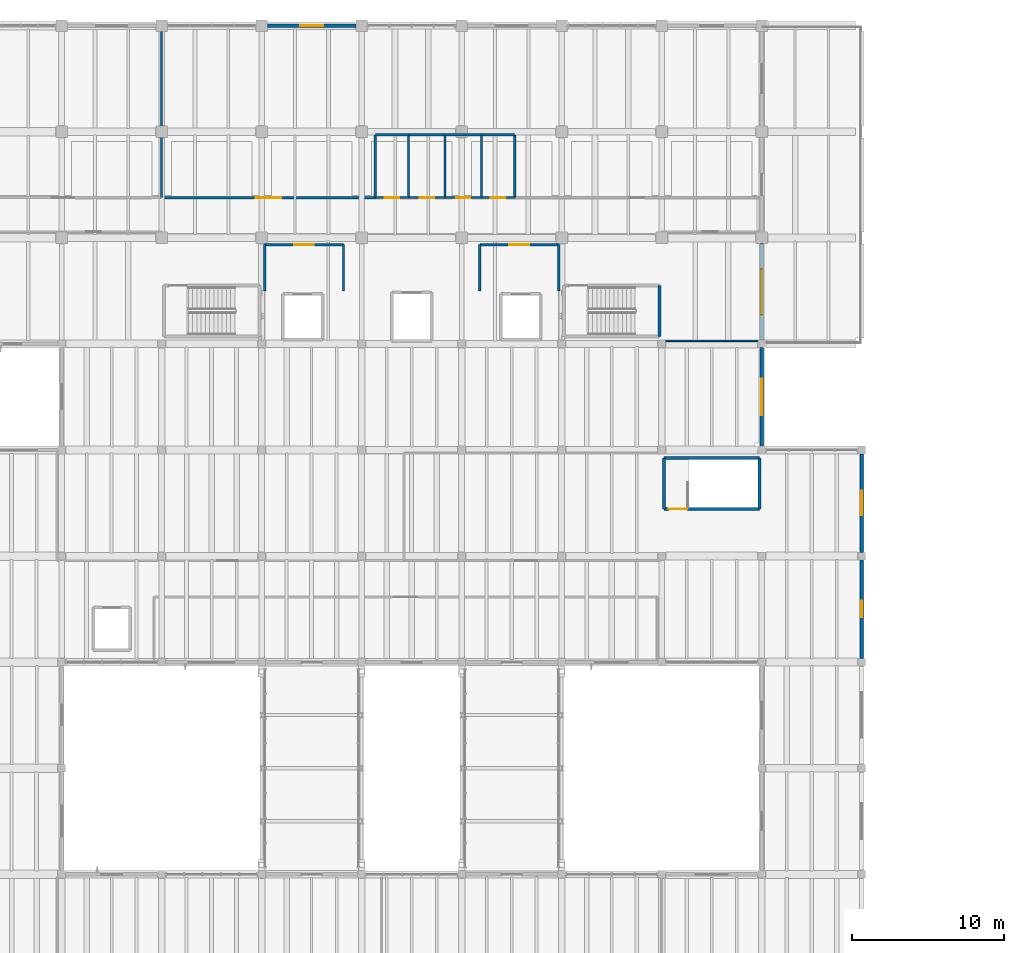
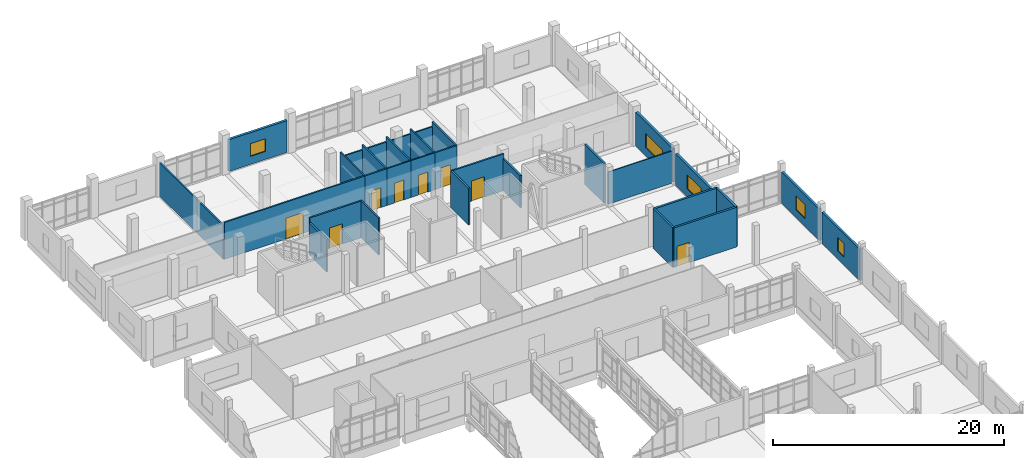
# One storey, part 52 of 65: 32 walls, 8 doors, 5 windows, 13 openings.
"""IFC4 building model written with IfcOpenShell, lengths in metres."""

from ifc_helpers import new_model, si_unit, direction, frame, frame_2d, origin, place, context, subcontext, project, spatial, rectangle, extrude, material, layer, layer_set, type_object, element, fill, save


model = new_model("IFC4")

# Units and contexts
model_context = context("Model", 3, precision=1e-05, world=origin(), true_north=direction((0.0, 1.0)))
body_context = subcontext(model_context, "Body", "Model", "MODEL_VIEW")
ifc_project = project(units=[si_unit("LENGTHUNIT", "METRE"), si_unit("AREAUNIT", "SQUARE_METRE"), si_unit("VOLUMEUNIT", "CUBIC_METRE"), si_unit("PLANEANGLEUNIT", "RADIAN"), si_unit("MASSUNIT", "GRAM", prefix="KILO")], contexts=[model_context])

# Site, building, storey
site_placement = place(None, origin())
site = spatial("IfcSite", under=ifc_project, at=site_placement, CompositionType="ELEMENT")
building_placement = place(site_placement, origin())
building = spatial("IfcBuilding", under=site, at=building_placement, Name="Ciguamira Faculty of Natural Sciences", CompositionType="ELEMENT")
storey_placement = place(building_placement, frame((0.0, 0.0, 12.60009765625)))
storey = spatial("IfcBuildingStorey", under=building, at=storey_placement, Name="L03", CompositionType="ELEMENT", Elevation=12.60009765625)

# Wall, opening, window
ifc_material_1 = material(Name="Precast concrete C40/50", Category="concrete")
ifc_layer_1 = layer(ifc_material_1, 0.239990234375, Name="Precast concrete C40/50")
ifc_layer_set_1 = layer_set([ifc_layer_1], Name="Precast concrete C40/50")
wall_type_1 = type_object("IfcWallType", Name="ExtWall_EW-02_240", PredefinedType="SOLIDWALL", material=ifc_layer_set_1)
wall_1_placement = place(storey_placement, frame((77.47509765625, 115.0, 0.0), z_axis=(0.0, 0.0, 1.0), x_axis=(1.0, 0.0, 0.0)))
wall_1 = element("IfcWall", 1, at=wall_1_placement, inside=storey, type_object=wall_type_1, Name="L03 exterior wall 0284", PredefinedType="SOLIDWALL", context=body_context, shape_type="SweptSolid", body=[
    extrude(rectangle(XDim=5.849853515625, YDim=0.239990234375, at=frame_2d((2.9248046875, 0.0))), origin(), (0.0, 0.0, 1.0), 3.364990234375),
])
opening_1_placement = place(wall_1_placement, frame((2.175048828125, 0.0, 0.85009765625)))
opening_1 = element("IfcOpeningElement", 2, at=opening_1_placement, cuts=wall_1, Name="Opening WT-03", PredefinedType="OPENING", context=body_context, shape_type="SweptSolid", body=[
    extrude(rectangle(XDim=1.5, YDim=1.35009765625, at=frame_2d((0.75, 0.675048828125))), frame((0.0, 0.1298828125, 0.0), z_axis=(0.0, -1.0, 0.0), x_axis=(1.0, 0.0, 0.0)), (0.0, 0.0, 1.0), 0.260009765625),
])
ifc_material_2 = material(Name="Hurricane laminated solar glass", Category="glass")
window_type_1 = type_object("IfcWindowType", Name="Window_WT-03_1500x1350", PartitioningType="DOUBLE_PANEL_VERTICAL", PredefinedType="WINDOW", material=ifc_material_2)
window_1_placement = place(opening_1_placement, origin())
window_1 = element("IfcWindow", 3, at=window_1_placement, inside=storey, type_object=window_type_1, Name="L03 facade window 0180", OverallHeight=1.35009765625, OverallWidth=1.5, PartitioningType="SINGLE_PANEL", PredefinedType="WINDOW", context=body_context, shape_type="SweptSolid", body=[
    extrude(rectangle(XDim=1.5, YDim=1.35009765625, at=frame_2d((0.75, 0.675048828125))), frame((0.0, 0.030029296875, 0.0), z_axis=(0.0, -1.0, 0.0), x_axis=(1.0, 0.0, 0.0)), (0.0, 0.0, 1.0), 0.06005859375),
])
fill(opening_1, window_1)

wall_2_placement = place(storey_placement, frame((110.10009765625, 94.25, 0.0), z_axis=(0.0, 0.0, 1.0), x_axis=(0.0, 1.0, 0.0)))
wall_2 = element("IfcWall", 4, at=wall_2_placement, inside=storey, type_object=wall_type_1, Name="L03 exterior wall 0308", PredefinedType="SOLIDWALL", context=body_context, shape_type="SweptSolid", body=[
    extrude(rectangle(XDim=6.375, YDim=0.239990234375, at=frame_2d((3.1875, 0.0))), origin(), (0.0, 0.0, 1.0), 3.56494140625),
])
opening_2_placement = place(wall_2_placement, frame((1.6875, 0.0, 0.85009765625)))
opening_2 = element("IfcOpeningElement", 5, at=opening_2_placement, cuts=wall_2, Name="Opening WT-14", PredefinedType="OPENING", context=body_context, shape_type="SweptSolid", body=[
    extrude(rectangle(XDim=3.0, YDim=1.5, at=frame_2d((1.5, 0.75))), frame((0.0, 0.1298828125, 0.0), z_axis=(0.0, -1.0, 0.0), x_axis=(1.0, 0.0, 0.0)), (0.0, 0.0, 1.0), 0.260009765625),
])
window_type_2 = type_object("IfcWindowType", Name="Window_WT-14_3000x1500", PartitioningType="DOUBLE_PANEL_VERTICAL", PredefinedType="WINDOW", material=ifc_material_2)
window_2_placement = place(opening_2_placement, origin())
window_2 = element("IfcWindow", 6, at=window_2_placement, inside=storey, type_object=window_type_2, Name="L03 facade window 0203", OverallHeight=1.5, OverallWidth=3.0, PartitioningType="SINGLE_PANEL", PredefinedType="WINDOW", context=body_context, shape_type="SweptSolid", body=[
    extrude(rectangle(XDim=3.0, YDim=1.5, at=frame_2d((1.5, 0.75))), frame((0.0, 0.030029296875, 0.0), z_axis=(0.0, -1.0, 0.0), x_axis=(1.0, 0.0, 0.0)), (0.0, 0.0, 1.0), 0.06005859375),
])
fill(opening_2, window_2)

ifc_layer_2 = layer(ifc_material_1, 0.219970703125, Name="Precast concrete C40/50")
ifc_layer_set_2 = layer_set([ifc_layer_2], Name="Precast concrete C40/50")
wall_type_2 = type_object("IfcWallType", Name="ExtWall_EW-03_220", PredefinedType="SOLIDWALL", material=ifc_layer_set_2)
wall_3_placement = place(storey_placement, frame((110.10009765625, 87.25, 0.0), z_axis=(0.0, 0.0, 1.0), x_axis=(0.0, 1.0, 0.0)))
wall_3 = element("IfcWall", 7, at=wall_3_placement, inside=storey, type_object=wall_type_2, Name="L03 exterior wall 0307", PredefinedType="SOLIDWALL", context=body_context, shape_type="SweptSolid", body=[
    extrude(rectangle(XDim=6.5, YDim=0.219970703125, at=frame_2d((3.25, 0.0))), origin(), (0.0, 0.0, 1.0), 3.324951171875),
])
opening_3_placement = place(wall_3_placement, frame((2.050048828125, 0.0, 0.85009765625)))
opening_3 = element("IfcOpeningElement", 8, at=opening_3_placement, cuts=wall_3, Name="Opening WT-12", PredefinedType="OPENING", context=body_context, shape_type="SweptSolid", body=[
    extrude(rectangle(XDim=2.39990234375, YDim=1.5, at=frame_2d((1.199951171875, 0.75))), frame((0.0, 0.119873046875, 0.0), z_axis=(0.0, -1.0, 0.0), x_axis=(1.0, 0.0, 0.0)), (0.0, 0.0, 1.0), 0.239990234375),
])
window_type_3 = type_object("IfcWindowType", Name="Window_WT-12_2400x1500", PartitioningType="DOUBLE_PANEL_VERTICAL", PredefinedType="WINDOW", material=ifc_material_2)
window_3_placement = place(opening_3_placement, origin())
window_3 = element("IfcWindow", 9, at=window_3_placement, inside=storey, type_object=window_type_3, Name="L03 facade window 0202", OverallHeight=1.5, OverallWidth=2.39990234375, PartitioningType="SINGLE_PANEL", PredefinedType="WINDOW", context=body_context, shape_type="SweptSolid", body=[
    extrude(rectangle(XDim=2.39990234375, YDim=1.5, at=frame_2d((1.199951171875, 0.75))), frame((0.0, 0.030029296875, 0.0), z_axis=(0.0, -1.0, 0.0), x_axis=(1.0, 0.0, 0.0)), (0.0, 0.0, 1.0), 0.06005859375),
])
fill(opening_3, window_3)

wall_4_placement = place(storey_placement, frame((116.699951171875, 73.25, 0.0), z_axis=(0.0, 0.0, 1.0), x_axis=(0.0, 1.0, 0.0)))
wall_4 = element("IfcWall", 10, at=wall_4_placement, inside=storey, type_object=wall_type_2, Name="L03 exterior wall 0315", PredefinedType="SOLIDWALL", context=body_context, shape_type="SweptSolid", body=[
    extrude(rectangle(XDim=6.5, YDim=0.219970703125, at=frame_2d((3.25, 0.0))), origin(), (0.0, 0.0, 1.0), 3.324951171875),
])
opening_4_placement = place(wall_4_placement, frame((2.699951171875, 0.0, 0.85009765625)))
opening_4 = element("IfcOpeningElement", 11, at=opening_4_placement, cuts=wall_4, Name="Opening WT-27", PredefinedType="OPENING", context=body_context, shape_type="SweptSolid", body=[
    extrude(rectangle(XDim=1.10009765625, YDim=1.449951171875, at=frame_2d((0.550048828125, 0.72509765625))), frame((0.0, 0.119873046875, 0.0), z_axis=(0.0, -1.0, 0.0), x_axis=(1.0, 0.0, 0.0)), (0.0, 0.0, 1.0), 0.239990234375),
])
window_type_4 = type_object("IfcWindowType", Name="Window_WT-27_1100x1450", PartitioningType="DOUBLE_PANEL_VERTICAL", PredefinedType="WINDOW", material=ifc_material_2)
window_4_placement = place(opening_4_placement, origin())
window_4 = element("IfcWindow", 12, at=window_4_placement, inside=storey, type_object=window_type_4, Name="L03 facade window 0209", OverallHeight=1.449951171875, OverallWidth=1.10009765625, PartitioningType="SINGLE_PANEL", PredefinedType="WINDOW", context=body_context, shape_type="SweptSolid", body=[
    extrude(rectangle(XDim=1.10009765625, YDim=1.449951171875, at=frame_2d((0.550048828125, 0.72509765625))), frame((0.0, 0.030029296875, 0.0), z_axis=(0.0, -1.0, 0.0), x_axis=(1.0, 0.0, 0.0)), (0.0, 0.0, 1.0), 0.06005859375),
])
fill(opening_4, window_4)

wall_5_placement = place(storey_placement, frame((116.699951171875, 80.25, 0.0), z_axis=(0.0, 0.0, 1.0), x_axis=(0.0, 1.0, 0.0)))
wall_5 = element("IfcWall", 13, at=wall_5_placement, inside=storey, type_object=wall_type_2, Name="L03 exterior wall 0316", PredefinedType="SOLIDWALL", context=body_context, shape_type="SweptSolid", body=[
    extrude(rectangle(XDim=6.5, YDim=0.219970703125, at=frame_2d((3.25, 0.0))), origin(), (0.0, 0.0, 1.0), 3.324951171875),
])
opening_5_placement = place(wall_5_placement, frame((2.449951171875, 0.0, 0.85009765625)))
opening_5 = element("IfcOpeningElement", 14, at=opening_5_placement, cuts=wall_5, Name="Opening WT-29", PredefinedType="OPENING", context=body_context, shape_type="SweptSolid", body=[
    extrude(rectangle(XDim=1.60009765625, YDim=1.449951171875, at=frame_2d((0.800048828125, 0.72509765625))), frame((0.0, 0.119873046875, 0.0), z_axis=(0.0, -1.0, 0.0), x_axis=(1.0, 0.0, 0.0)), (0.0, 0.0, 1.0), 0.239990234375),
])
window_type_5 = type_object("IfcWindowType", Name="Window_WT-29_1600x1450", PartitioningType="DOUBLE_PANEL_VERTICAL", PredefinedType="WINDOW", material=ifc_material_2)
window_5_placement = place(opening_5_placement, origin())
window_5 = element("IfcWindow", 15, at=window_5_placement, inside=storey, type_object=window_type_5, Name="L03 facade window 0210", OverallHeight=1.449951171875, OverallWidth=1.60009765625, PartitioningType="SINGLE_PANEL", PredefinedType="WINDOW", context=body_context, shape_type="SweptSolid", body=[
    extrude(rectangle(XDim=1.60009765625, YDim=1.449951171875, at=frame_2d((0.800048828125, 0.72509765625))), frame((0.0, 0.030029296875, 0.0), z_axis=(0.0, -1.0, 0.0), x_axis=(1.0, 0.0, 0.0)), (0.0, 0.0, 1.0), 0.06005859375),
])
fill(opening_5, window_5)

# Wall
ifc_material_3 = material(Name="Concrete C40/50", Category="concrete")
ifc_layer_3 = layer(ifc_material_3, 0.199951171875, Name="Concrete C40/50")
ifc_layer_set_3 = layer_set([ifc_layer_3], Name="Concrete C40/50")
wall_type_3 = type_object("IfcWallType", Name="IntWall_CW-S20_200", PredefinedType="SHEAR", material=ifc_layer_set_3)
wall_6_placement = place(storey_placement, frame((103.35009765625, 94.5, 0.0), z_axis=(0.0, 0.0, 1.0), x_axis=(0.0, 1.0, 0.0)))
element("IfcWall", 16, at=wall_6_placement, inside=storey, type_object=wall_type_3, Name="L03 ST-T2 core shear wall east", PredefinedType="SHEAR", context=body_context, shape_type="SweptSolid", body=[
    extrude(rectangle(XDim=3.360107421875, YDim=0.199951171875, at=frame_2d((1.68017578125, 0.0))), origin(), (0.0, 0.0, 1.0), 4.199951171875),
])

# Wall, opening, door
wall_7_placement = place(storey_placement, frame((103.64990234375, 83.10009765625, 0.0), z_axis=(0.0, 0.0, 1.0), x_axis=(1.0, 0.0, 0.0)))
wall_7 = element("IfcWall", 17, at=wall_7_placement, inside=storey, type_object=wall_type_3, Name="L03 ST-W2 core shear wall south", PredefinedType="SHEAR", context=body_context, shape_type="SweptSolid", body=[
    extrude(rectangle(XDim=6.300048828125, YDim=0.199951171875, at=frame_2d((3.14990234375, 0.0))), origin(), (0.0, 0.0, 1.0), 4.199951171875),
])
opening_6_placement = place(wall_7_placement, frame((0.320068359375, 0.0, 0.0)))
opening_6 = element("IfcOpeningElement", 18, at=opening_6_placement, cuts=wall_7, Name="Opening ID-14", PredefinedType="OPENING", context=body_context, shape_type="SweptSolid", body=[
    extrude(rectangle(XDim=1.199951171875, YDim=2.14990234375, at=frame_2d((0.60009765625, 1.074951171875))), frame((0.0, 0.10986328125, 0.0), z_axis=(0.0, -1.0, 0.0), x_axis=(1.0, 0.0, 0.0)), (0.0, 0.0, 1.0), 0.219970703125),
])
ifc_material_4 = material(Name="Protected exit stair fire door")
door_type_1 = type_object("IfcDoorType", Name="IntDoor_ID-14_1200x2150", OperationType="NOTDEFINED", PredefinedType="DOOR", material=ifc_material_4)
door_1_placement = place(opening_6_placement, origin())
door_1 = element("IfcDoor", 19, at=door_1_placement, inside=storey, type_object=door_type_1, Name="L03 ST-W2 exit stair fire door", OperationType="SINGLE_SWING_LEFT", OverallHeight=2.14990234375, OverallWidth=1.199951171875, PredefinedType="DOOR", context=body_context, shape_type="SweptSolid", body=[
    extrude(rectangle(XDim=1.199951171875, YDim=2.14990234375, at=frame_2d((0.60009765625, 1.074951171875))), frame((0.0, 0.02490234375, 0.0), z_axis=(0.0, -1.0, 0.0), x_axis=(1.0, 0.0, 0.0)), (0.0, 0.0, 1.0), 0.050048828125),
])
fill(opening_6, door_1)

# Walls
wall_8_placement = place(storey_placement, frame((103.64990234375, 86.4599609375, 0.0), z_axis=(0.0, 0.0, 1.0), x_axis=(1.0, 0.0, 0.0)))
element("IfcWall", 20, at=wall_8_placement, inside=storey, type_object=wall_type_3, Name="L03 ST-W2 core shear wall north", PredefinedType="SHEAR", context=body_context, shape_type="SweptSolid", body=[
    extrude(rectangle(XDim=6.300048828125, YDim=0.199951171875, at=frame_2d((3.14990234375, 0.0))), origin(), (0.0, 0.0, 1.0), 4.199951171875),
])
for number, where, z_axis, x_axis, name in (
    (21, (103.64990234375, 83.10009765625, 0.0), (0.0, 0.0, 1.0), (0.0, 1.0, 0.0), "L03 ST-W2 core shear wall west"),
    (22, (109.949951171875, 83.10009765625, 0.0), (0.0, 0.0, 1.0), (0.0, 1.0, 0.0), "L03 ST-W2 core shear wall east"),
):
    element("IfcWall", number, at=place(storey_placement, frame(where, z_axis=z_axis, x_axis=x_axis)), inside=storey, type_object=wall_type_3, Name=name, PredefinedType="SHEAR", context=body_context, shape_type="SweptSolid", body=[
        extrude(rectangle(XDim=3.35986328125, YDim=0.199951171875, at=frame_2d((1.679931640625, 0.0))), origin(), (0.0, 0.0, 1.0), 4.199951171875),
    ])
ifc_material_5 = material(Name="Fire-rated gypsum partition")
ifc_layer_4 = layer(ifc_material_5, 0.10009765625, Name="Fire-rated gypsum partition")
ifc_layer_set_4 = layer_set([ifc_layer_4], Name="Fire-rated gypsum partition")
wall_type_4 = type_object("IfcWallType", Name="IntWall_IW-A10_100", PredefinedType="PARTITIONING", material=ifc_layer_set_4)
wall_9_placement = place(storey_placement, frame((103.5, 94.199951171875, 0.0), z_axis=(0.0, 0.0, 1.0), x_axis=(1.0, 0.0, 0.0)))
element("IfcWall", 23, at=wall_9_placement, inside=storey, type_object=wall_type_4, Name="L03 East Terrace Access Faculty Study partition south", PredefinedType="PARTITIONING", context=body_context, shape_type="SweptSolid", body=[
    extrude(rectangle(XDim=6.39990234375, YDim=0.10009765625, at=frame_2d((3.199951171875, 0.0))), origin(), (0.0, 0.0, 1.0), 3.40478515625),
])

# Wall, opening, door
ifc_material_6 = material(Name="Fire-rated blockwork wall", Category="masonry")
ifc_layer_5 = layer(ifc_material_6, 0.159912109375, Name="Fire-rated blockwork wall")
ifc_layer_set_5 = layer_set([ifc_layer_5], Name="Fire-rated blockwork wall")
wall_type_5 = type_object("IfcWallType", Name="IntWall_IW-F16_160", PredefinedType="SOLIDWALL", material=ifc_layer_set_5)
wall_10_placement = place(storey_placement, frame((77.300048828125, 100.550048828125, 0.0), z_axis=(0.0, 0.0, 1.0), x_axis=(1.0, 0.0, 0.0)))
wall_10 = element("IfcWall", 24, at=wall_10_placement, inside=storey, type_object=wall_type_5, Name="L03 Firefighting Lift Lobby 1 partition north", PredefinedType="SOLIDWALL", context=body_context, shape_type="SweptSolid", body=[
    extrude(rectangle(XDim=5.199951171875, YDim=0.159912109375, at=frame_2d((2.60009765625, 0.0))), origin(), (0.0, 0.0, 1.0), 3.89990234375),
])
opening_7_placement = place(wall_10_placement, frame((1.949951171875, 0.0, 0.0)))
opening_7 = element("IfcOpeningElement", 25, at=opening_7_placement, cuts=wall_10, Name="Opening ID-15", PredefinedType="OPENING", context=body_context, shape_type="SweptSolid", body=[
    extrude(rectangle(XDim=1.300048828125, YDim=2.14990234375, at=frame_2d((0.64990234375, 1.074951171875))), frame((0.0, 0.08984375, 0.0), z_axis=(0.0, -1.0, 0.0), x_axis=(1.0, 0.0, 0.0)), (0.0, 0.0, 1.0), 0.179931640625),
])
ifc_material_7 = material(Name="Firefighting lift lobby fire door")
door_type_2 = type_object("IfcDoorType", Name="IntDoor_ID-15_1300x2150", OperationType="NOTDEFINED", PredefinedType="DOOR", material=ifc_material_7)
door_2_placement = place(opening_7_placement, frame((1.300048828125, 0.0, 0.0), z_axis=(0.0, 0.0, 1.0), x_axis=(-1.0, 0.0, 0.0)))
door_2 = element("IfcDoor", 26, at=door_2_placement, inside=storey, type_object=door_type_2, Name="L03 Firefighting Lift Lobby 1 door", OperationType="SINGLE_SWING_LEFT", OverallHeight=2.14990234375, OverallWidth=1.300048828125, PredefinedType="DOOR", context=body_context, shape_type="SweptSolid", body=[
    extrude(rectangle(XDim=1.300048828125, YDim=2.14990234375, at=frame_2d((0.64990234375, 1.074951171875))), frame((0.0, 0.02490234375, 0.0), z_axis=(0.0, -1.0, 0.0), x_axis=(1.0, 0.0, 0.0)), (0.0, 0.0, 1.0), 0.050048828125),
])
fill(opening_7, door_2)

# Walls
wall_11_placement = place(storey_placement, frame((77.300048828125, 97.5, 0.0), z_axis=(0.0, 0.0, 1.0), x_axis=(0.0, 1.0, 0.0)))
element("IfcWall", 27, at=wall_11_placement, inside=storey, type_object=wall_type_5, Name="L03 Firefighting Lift Lobby 1 partition west", PredefinedType="SOLIDWALL", context=body_context, shape_type="SweptSolid", body=[
    extrude(rectangle(XDim=3.050048828125, YDim=0.159912109375, at=frame_2d((1.52490234375, 0.0))), origin(), (0.0, 0.0, 1.0), 3.40478515625),
])
wall_12_placement = place(storey_placement, frame((82.5, 97.5, 0.0), z_axis=(0.0, 0.0, 1.0), x_axis=(0.0, 1.0, 0.0)))
element("IfcWall", 28, at=wall_12_placement, inside=storey, type_object=wall_type_5, Name="L03 Firefighting Lift Lobby 1 partition east", PredefinedType="SOLIDWALL", context=body_context, shape_type="SweptSolid", body=[
    extrude(rectangle(XDim=3.050048828125, YDim=0.159912109375, at=frame_2d((1.52490234375, 0.0))), origin(), (0.0, 0.0, 1.0), 3.89990234375),
])

# Wall, opening, door
wall_13_placement = place(storey_placement, frame((91.5, 100.550048828125, 0.0), z_axis=(0.0, 0.0, 1.0), x_axis=(1.0, 0.0, 0.0)))
wall_13 = element("IfcWall", 29, at=wall_13_placement, inside=storey, type_object=wall_type_5, Name="L03 Firefighting Lift Lobby 2 partition north", PredefinedType="SOLIDWALL", context=body_context, shape_type="SweptSolid", body=[
    extrude(rectangle(XDim=5.199951171875, YDim=0.159912109375, at=frame_2d((2.60009765625, 0.0))), origin(), (0.0, 0.0, 1.0), 3.89990234375),
])
opening_8_placement = place(wall_13_placement, frame((1.949951171875, 0.0, 0.0)))
opening_8 = element("IfcOpeningElement", 30, at=opening_8_placement, cuts=wall_13, Name="Opening ID-15", PredefinedType="OPENING", context=body_context, shape_type="SweptSolid", body=[
    extrude(rectangle(XDim=1.300048828125, YDim=2.14990234375, at=frame_2d((0.64990234375, 1.074951171875))), frame((0.0, 0.08984375, 0.0), z_axis=(0.0, -1.0, 0.0), x_axis=(1.0, 0.0, 0.0)), (0.0, 0.0, 1.0), 0.179931640625),
])
door_3_placement = place(opening_8_placement, frame((1.300048828125, 0.0, 0.0), z_axis=(0.0, 0.0, 1.0), x_axis=(-1.0, 0.0, 0.0)))
door_3 = element("IfcDoor", 31, at=door_3_placement, inside=storey, type_object=door_type_2, Name="L03 Firefighting Lift Lobby 2 door", OperationType="SINGLE_SWING_RIGHT", OverallHeight=2.14990234375, OverallWidth=1.300048828125, PredefinedType="DOOR", context=body_context, shape_type="SweptSolid", body=[
    extrude(rectangle(XDim=1.300048828125, YDim=2.14990234375, at=frame_2d((0.64990234375, 1.074951171875))), frame((0.0, 0.02490234375, 0.0), z_axis=(0.0, -1.0, 0.0), x_axis=(1.0, 0.0, 0.0)), (0.0, 0.0, 1.0), 0.050048828125),
])
fill(opening_8, door_3)

# Walls
wall_14_placement = place(storey_placement, frame((91.5, 97.5, 0.0), z_axis=(0.0, 0.0, 1.0), x_axis=(0.0, 1.0, 0.0)))
element("IfcWall", 32, at=wall_14_placement, inside=storey, type_object=wall_type_5, Name="L03 Firefighting Lift Lobby 2 partition west", PredefinedType="SOLIDWALL", context=body_context, shape_type="SweptSolid", body=[
    extrude(rectangle(XDim=3.050048828125, YDim=0.159912109375, at=frame_2d((1.52490234375, 0.0))), origin(), (0.0, 0.0, 1.0), 3.89990234375),
])
wall_15_placement = place(storey_placement, frame((96.699951171875, 97.5, 0.0), z_axis=(0.0, 0.0, 1.0), x_axis=(0.0, 1.0, 0.0)))
element("IfcWall", 33, at=wall_15_placement, inside=storey, type_object=wall_type_5, Name="L03 Firefighting Lift Lobby 2 partition east", PredefinedType="SOLIDWALL", context=body_context, shape_type="SweptSolid", body=[
    extrude(rectangle(XDim=3.050048828125, YDim=0.159912109375, at=frame_2d((1.52490234375, 0.0))), origin(), (0.0, 0.0, 1.0), 3.40478515625),
])

# Wall, opening, door
ifc_material_8 = material(Name="Acoustic laboratory corridor partition")
ifc_layer_6 = layer(ifc_material_8, 0.14990234375, Name="Acoustic laboratory corridor partition")
ifc_layer_set_6 = layer_set([ifc_layer_6], Name="Acoustic laboratory corridor partition")
wall_type_6 = type_object("IfcWallType", Name="IntWall_IW-G15_150", PredefinedType="PARTITIONING", material=ifc_layer_set_6)
wall_16_placement = place(storey_placement, frame((70.5, 103.64990234375, 0.0), z_axis=(0.0, 0.0, 1.0), x_axis=(1.0, 0.0, 0.0)))
wall_16 = element("IfcWall", 34, at=wall_16_placement, inside=storey, type_object=wall_type_6, Name="L03 Isotope Mass Spectrometry Laboratory partition south", PredefinedType="PARTITIONING", context=body_context, shape_type="SweptSolid", body=[
    extrude(rectangle(XDim=14.10009765625, YDim=0.14990234375, at=frame_2d((7.050048828125, 0.0))), origin(), (0.0, 0.0, 1.0), 3.89990234375),
])
opening_9_placement = place(wall_16_placement, frame((6.199951171875, 0.0, 0.0)))
opening_9 = element("IfcOpeningElement", 35, at=opening_9_placement, cuts=wall_16, Name="Opening ID-18", PredefinedType="OPENING", context=body_context, shape_type="SweptSolid", body=[
    extrude(rectangle(XDim=1.699951171875, YDim=2.199951171875, at=frame_2d((0.85009765625, 1.10009765625))), frame((0.0, 0.0849609375, 0.0), z_axis=(0.0, -1.0, 0.0), x_axis=(1.0, 0.0, 0.0)), (0.0, 0.0, 1.0), 0.169921875),
])
ifc_material_9 = material(Name="Archive vault rated door")
door_type_3 = type_object("IfcDoorType", Name="IntDoor_ID-18_1700x2200", OperationType="NOTDEFINED", PredefinedType="DOOR", material=ifc_material_9)
door_4_placement = place(opening_9_placement, origin())
door_4 = element("IfcDoor", 36, at=door_4_placement, inside=storey, type_object=door_type_3, Name="L03 Isotope Mass Spectrometry Laboratory door", OperationType="SINGLE_SWING_LEFT", OverallHeight=2.199951171875, OverallWidth=1.699951171875, PredefinedType="DOOR", context=body_context, shape_type="SweptSolid", body=[
    extrude(rectangle(XDim=1.699951171875, YDim=2.199951171875, at=frame_2d((0.85009765625, 1.10009765625))), frame((0.0, 0.02490234375, 0.0), z_axis=(0.0, -1.0, 0.0), x_axis=(1.0, 0.0, 0.0)), (0.0, 0.0, 1.0), 0.050048828125),
])
fill(opening_9, door_4)

ifc_material_10 = material(Name="Moisture-resistant service chase wall")
ifc_layer_7 = layer(ifc_material_10, 0.139892578125, Name="Moisture-resistant service chase wall")
ifc_layer_set_7 = layer_set([ifc_layer_7], Name="Moisture-resistant service chase wall")
wall_type_7 = type_object("IfcWallType", Name="IntWall_IW-P14_140", PredefinedType="PLUMBINGWALL", material=ifc_layer_set_7)
wall_17_placement = place(storey_placement, frame((84.60009765625, 103.64990234375, 0.0), z_axis=(0.0, 0.0, 1.0), x_axis=(1.0, 0.0, 0.0)))
wall_17 = element("IfcWall", 37, at=wall_17_placement, inside=storey, type_object=wall_type_7, Name="L03 Accessible WC partition south", PredefinedType="PLUMBINGWALL", context=body_context, shape_type="SweptSolid", body=[
    extrude(rectangle(XDim=2.199951171875, YDim=0.139892578125, at=frame_2d((1.10009765625, 0.0))), origin(), (0.0, 0.0, 1.0), 3.89990234375),
])
opening_10_placement = place(wall_17_placement, frame((0.625, 0.0, 0.0)))
opening_10 = element("IfcOpeningElement", 38, at=opening_10_placement, cuts=wall_17, Name="Opening ID-02", PredefinedType="OPENING", context=body_context, shape_type="SweptSolid", body=[
    extrude(rectangle(XDim=0.949951171875, YDim=2.10009765625, at=frame_2d((0.47509765625, 1.050048828125))), frame((0.0, 0.079833984375, 0.0), z_axis=(0.0, -1.0, 0.0), x_axis=(1.0, 0.0, 0.0)), (0.0, 0.0, 1.0), 0.159912109375),
])
ifc_material_11 = material(Name="Accessible WC outward-clear door")
door_type_4 = type_object("IfcDoorType", Name="IntDoor_ID-02_950x2100", OperationType="NOTDEFINED", PredefinedType="DOOR", material=ifc_material_11)
door_5_placement = place(opening_10_placement, origin())
door_5 = element("IfcDoor", 39, at=door_5_placement, inside=storey, type_object=door_type_4, Name="L03 Accessible WC door", OperationType="SINGLE_SWING_RIGHT", OverallHeight=2.10009765625, OverallWidth=0.949951171875, PredefinedType="DOOR", context=body_context, shape_type="SweptSolid", body=[
    extrude(rectangle(XDim=0.949951171875, YDim=2.10009765625, at=frame_2d((0.47509765625, 1.050048828125))), frame((0.0, 0.02490234375, 0.0), z_axis=(0.0, -1.0, 0.0), x_axis=(1.0, 0.0, 0.0)), (0.0, 0.0, 1.0), 0.050048828125),
])
fill(opening_10, door_5)

# Walls
wall_18_placement = place(storey_placement, frame((84.60009765625, 107.800048828125, 0.0), z_axis=(0.0, 0.0, 1.0), x_axis=(1.0, 0.0, 0.0)))
element("IfcWall", 40, at=wall_18_placement, inside=storey, type_object=wall_type_7, Name="L03 Accessible WC partition north", PredefinedType="PLUMBINGWALL", context=body_context, shape_type="SweptSolid", body=[
    extrude(rectangle(XDim=2.199951171875, YDim=0.139892578125, at=frame_2d((1.10009765625, 0.0))), origin(), (0.0, 0.0, 1.0), 3.385009765625),
])
for number, where, z_axis, x_axis, name in (
    (41, (84.60009765625, 103.64990234375, 0.0), (0.0, 0.0, 1.0), (0.0, 1.0, 0.0), "L03 Accessible WC partition west"),
    (42, (86.800048828125, 103.64990234375, 0.0), (0.0, 0.0, 1.0), (0.0, 1.0, 0.0), "L03 Accessible WC partition east"),
):
    element("IfcWall", number, at=place(storey_placement, frame(where, z_axis=z_axis, x_axis=x_axis)), inside=storey, type_object=wall_type_7, Name=name, PredefinedType="PLUMBINGWALL", context=body_context, shape_type="SweptSolid", body=[
        extrude(rectangle(XDim=4.150146484375, YDim=0.139892578125, at=frame_2d((2.0751953125, 0.0))), origin(), (0.0, 0.0, 1.0), 3.89990234375),
    ])

# Wall, opening, door
wall_19_placement = place(storey_placement, frame((86.800048828125, 103.64990234375, 0.0), z_axis=(0.0, 0.0, 1.0), x_axis=(1.0, 0.0, 0.0)))
wall_19 = element("IfcWall", 43, at=wall_19_placement, inside=storey, type_object=wall_type_7, Name="L03 Public Restroom Female partition south", PredefinedType="PLUMBINGWALL", context=body_context, shape_type="SweptSolid", body=[
    extrude(rectangle(XDim=2.39990234375, YDim=0.139892578125, at=frame_2d((1.199951171875, 0.0))), origin(), (0.0, 0.0, 1.0), 3.89990234375),
])
opening_11_placement = place(wall_19_placement, frame((0.72509765625, 0.0, 0.0)))
opening_11 = element("IfcOpeningElement", 44, at=opening_11_placement, cuts=wall_19, Name="Opening ID-02", PredefinedType="OPENING", context=body_context, shape_type="SweptSolid", body=[
    extrude(rectangle(XDim=0.949951171875, YDim=2.10009765625, at=frame_2d((0.47509765625, 1.050048828125))), frame((0.0, 0.079833984375, 0.0), z_axis=(0.0, -1.0, 0.0), x_axis=(1.0, 0.0, 0.0)), (0.0, 0.0, 1.0), 0.159912109375),
])
door_6_placement = place(opening_11_placement, origin())
door_6 = element("IfcDoor", 45, at=door_6_placement, inside=storey, type_object=door_type_4, Name="L03 Public Restroom Female door", OperationType="SINGLE_SWING_LEFT", OverallHeight=2.10009765625, OverallWidth=0.949951171875, PredefinedType="DOOR", context=body_context, shape_type="SweptSolid", body=[
    extrude(rectangle(XDim=0.949951171875, YDim=2.10009765625, at=frame_2d((0.47509765625, 1.050048828125))), frame((0.0, 0.02490234375, 0.0), z_axis=(0.0, -1.0, 0.0), x_axis=(1.0, 0.0, 0.0)), (0.0, 0.0, 1.0), 0.050048828125),
])
fill(opening_11, door_6)

# Walls
wall_20_placement = place(storey_placement, frame((86.800048828125, 107.800048828125, 0.0), z_axis=(0.0, 0.0, 1.0), x_axis=(1.0, 0.0, 0.0)))
element("IfcWall", 46, at=wall_20_placement, inside=storey, type_object=wall_type_7, Name="L03 Public Restroom Female partition north", PredefinedType="PLUMBINGWALL", context=body_context, shape_type="SweptSolid", body=[
    extrude(rectangle(XDim=2.39990234375, YDim=0.139892578125, at=frame_2d((1.199951171875, 0.0))), origin(), (0.0, 0.0, 1.0), 3.385009765625),
])
wall_21_placement = place(storey_placement, frame((89.199951171875, 103.64990234375, 0.0), z_axis=(0.0, 0.0, 1.0), x_axis=(0.0, 1.0, 0.0)))
element("IfcWall", 47, at=wall_21_placement, inside=storey, type_object=wall_type_7, Name="L03 Public Restroom Female partition east", PredefinedType="PLUMBINGWALL", context=body_context, shape_type="SweptSolid", body=[
    extrude(rectangle(XDim=4.150146484375, YDim=0.139892578125, at=frame_2d((2.0751953125, 0.0))), origin(), (0.0, 0.0, 1.0), 3.89990234375),
])

# Wall, opening, door
wall_22_placement = place(storey_placement, frame((89.199951171875, 103.64990234375, 0.0), z_axis=(0.0, 0.0, 1.0), x_axis=(1.0, 0.0, 0.0)))
wall_22 = element("IfcWall", 48, at=wall_22_placement, inside=storey, type_object=wall_type_7, Name="L03 Public Restroom Male partition south", PredefinedType="PLUMBINGWALL", context=body_context, shape_type="SweptSolid", body=[
    extrude(rectangle(XDim=2.400146484375, YDim=0.139892578125, at=frame_2d((1.2001953125, 0.0))), origin(), (0.0, 0.0, 1.0), 3.89990234375),
])
opening_12_placement = place(wall_22_placement, frame((0.72509765625, 0.0, 0.0)))
opening_12 = element("IfcOpeningElement", 49, at=opening_12_placement, cuts=wall_22, Name="Opening ID-02", PredefinedType="OPENING", context=body_context, shape_type="SweptSolid", body=[
    extrude(rectangle(XDim=0.949951171875, YDim=2.10009765625, at=frame_2d((0.47509765625, 1.050048828125))), frame((0.0, 0.079833984375, 0.0), z_axis=(0.0, -1.0, 0.0), x_axis=(1.0, 0.0, 0.0)), (0.0, 0.0, 1.0), 0.159912109375),
])
door_7_placement = place(opening_12_placement, origin())
door_7 = element("IfcDoor", 50, at=door_7_placement, inside=storey, type_object=door_type_4, Name="L03 Public Restroom Male door", OperationType="SINGLE_SWING_RIGHT", OverallHeight=2.10009765625, OverallWidth=0.949951171875, PredefinedType="DOOR", context=body_context, shape_type="SweptSolid", body=[
    extrude(rectangle(XDim=0.949951171875, YDim=2.10009765625, at=frame_2d((0.47509765625, 1.050048828125))), frame((0.0, 0.02490234375, 0.0), z_axis=(0.0, -1.0, 0.0), x_axis=(1.0, 0.0, 0.0)), (0.0, 0.0, 1.0), 0.050048828125),
])
fill(opening_12, door_7)

# Walls
wall_23_placement = place(storey_placement, frame((89.199951171875, 107.800048828125, 0.0), z_axis=(0.0, 0.0, 1.0), x_axis=(1.0, 0.0, 0.0)))
element("IfcWall", 51, at=wall_23_placement, inside=storey, type_object=wall_type_7, Name="L03 Public Restroom Male partition north", PredefinedType="PLUMBINGWALL", context=body_context, shape_type="SweptSolid", body=[
    extrude(rectangle(XDim=2.400146484375, YDim=0.139892578125, at=frame_2d((1.2001953125, 0.0))), origin(), (0.0, 0.0, 1.0), 3.385009765625),
])
wall_24_placement = place(storey_placement, frame((91.60009765625, 103.64990234375, 0.0), z_axis=(0.0, 0.0, 1.0), x_axis=(0.0, 1.0, 0.0)))
element("IfcWall", 52, at=wall_24_placement, inside=storey, type_object=wall_type_7, Name="L03 Public Restroom Male partition east", PredefinedType="PLUMBINGWALL", context=body_context, shape_type="SweptSolid", body=[
    extrude(rectangle(XDim=4.150146484375, YDim=0.139892578125, at=frame_2d((2.0751953125, 0.0))), origin(), (0.0, 0.0, 1.0), 3.89990234375),
])

# Wall, opening, door
wall_25_placement = place(storey_placement, frame((91.60009765625, 103.64990234375, 0.0), z_axis=(0.0, 0.0, 1.0), x_axis=(1.0, 0.0, 0.0)))
wall_25 = element("IfcWall", 53, at=wall_25_placement, inside=storey, type_object=wall_type_7, Name="L03 Staff Restroom partition south", PredefinedType="PLUMBINGWALL", context=body_context, shape_type="SweptSolid", body=[
    extrude(rectangle(XDim=2.199951171875, YDim=0.139892578125, at=frame_2d((1.10009765625, 0.0))), origin(), (0.0, 0.0, 1.0), 3.89990234375),
])
opening_13_placement = place(wall_25_placement, frame((0.625, 0.0, 0.0)))
opening_13 = element("IfcOpeningElement", 54, at=opening_13_placement, cuts=wall_25, Name="Opening ID-02", PredefinedType="OPENING", context=body_context, shape_type="SweptSolid", body=[
    extrude(rectangle(XDim=0.949951171875, YDim=2.10009765625, at=frame_2d((0.47509765625, 1.050048828125))), frame((0.0, 0.079833984375, 0.0), z_axis=(0.0, -1.0, 0.0), x_axis=(1.0, 0.0, 0.0)), (0.0, 0.0, 1.0), 0.159912109375),
])
door_8_placement = place(opening_13_placement, origin())
door_8 = element("IfcDoor", 55, at=door_8_placement, inside=storey, type_object=door_type_4, Name="L03 Staff Restroom door", OperationType="SINGLE_SWING_LEFT", OverallHeight=2.10009765625, OverallWidth=0.949951171875, PredefinedType="DOOR", context=body_context, shape_type="SweptSolid", body=[
    extrude(rectangle(XDim=0.949951171875, YDim=2.10009765625, at=frame_2d((0.47509765625, 1.050048828125))), frame((0.0, 0.02490234375, 0.0), z_axis=(0.0, -1.0, 0.0), x_axis=(1.0, 0.0, 0.0)), (0.0, 0.0, 1.0), 0.050048828125),
])
fill(opening_13, door_8)

# Walls
wall_26_placement = place(storey_placement, frame((91.60009765625, 107.800048828125, 0.0), z_axis=(0.0, 0.0, 1.0), x_axis=(1.0, 0.0, 0.0)))
element("IfcWall", 56, at=wall_26_placement, inside=storey, type_object=wall_type_7, Name="L03 Staff Restroom partition north", PredefinedType="PLUMBINGWALL", context=body_context, shape_type="SweptSolid", body=[
    extrude(rectangle(XDim=2.199951171875, YDim=0.139892578125, at=frame_2d((1.10009765625, 0.0))), origin(), (0.0, 0.0, 1.0), 3.385009765625),
])
wall_27_placement = place(storey_placement, frame((93.800048828125, 103.64990234375, 0.0), z_axis=(0.0, 0.0, 1.0), x_axis=(0.0, 1.0, 0.0)))
element("IfcWall", 57, at=wall_27_placement, inside=storey, type_object=wall_type_7, Name="L03 Staff Restroom partition east", PredefinedType="PLUMBINGWALL", context=body_context, shape_type="SweptSolid", body=[
    extrude(rectangle(XDim=4.150146484375, YDim=0.139892578125, at=frame_2d((2.0751953125, 0.0))), origin(), (0.0, 0.0, 1.0), 3.89990234375),
])
wall_28_placement = place(storey_placement, frame((70.5, 103.64990234375, 0.0), z_axis=(0.0, 0.0, 1.0), x_axis=(0.0, 1.0, 0.0)))
element("IfcWall", 58, at=wall_28_placement, inside=storey, type_object=wall_type_7, Name="L03 Tropical Marine Chemistry Laboratory partition east", PredefinedType="PLUMBINGWALL", context=body_context, shape_type="SweptSolid", body=[
    extrude(rectangle(XDim=11.150146484375, YDim=0.139892578125, at=frame_2d((5.5751953125, 0.0))), origin(), (0.0, 0.0, 1.0), 3.544921875),
])

save(model, "model.ifc")
